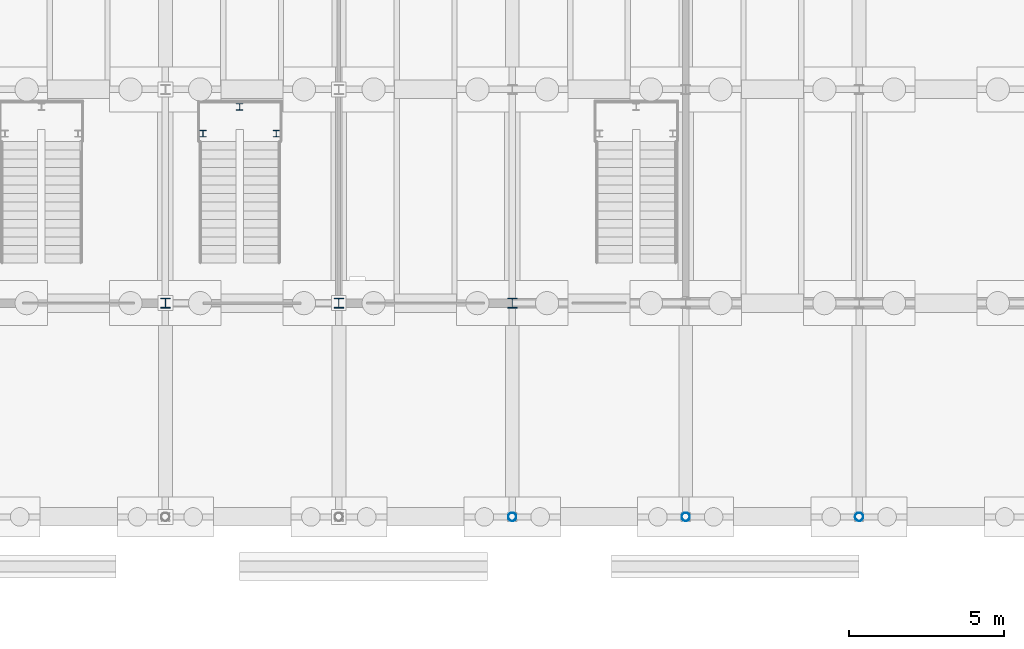
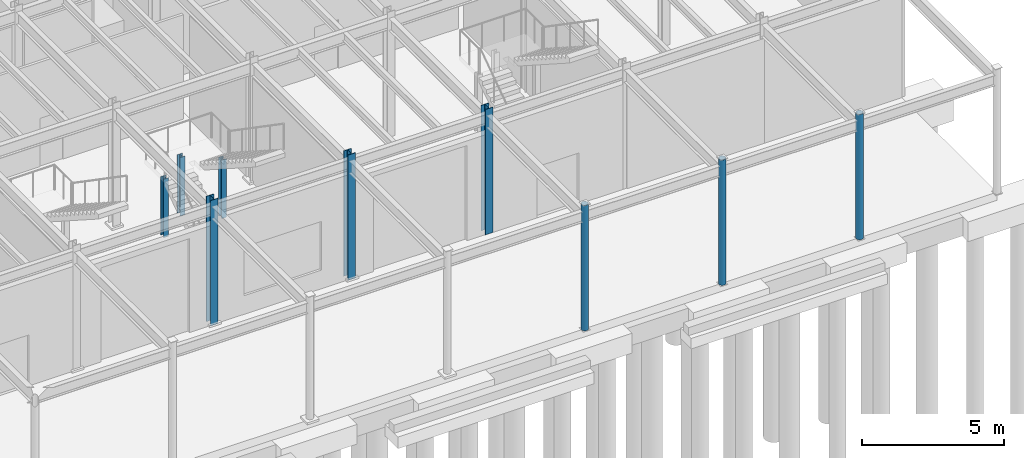
# One storey, part 11 of 82: 9 columns.
"""IFC4 building model written with IfcOpenShell, lengths in metres."""

from ifc_helpers import new_model, si_unit, direction, frame, origin, origin_2d, place, context, subcontext, project, spatial, hollow_circle, i_section, extrude, material, material_profile, profile_set, type_object, element, save


model = new_model("IFC4")

# Units and contexts
model_context = context("Model", 3, precision=1e-05, world=origin(), true_north=direction((0.0, 1.0)))
body_context = subcontext(model_context, "Body", "Model", "MODEL_VIEW")
ifc_project = project(units=[si_unit("LENGTHUNIT", "METRE"), si_unit("AREAUNIT", "SQUARE_METRE"), si_unit("VOLUMEUNIT", "CUBIC_METRE"), si_unit("PLANEANGLEUNIT", "RADIAN"), si_unit("MASSUNIT", "GRAM", prefix="KILO")], contexts=[model_context])

# Site, building, storey
site_placement = place(None, origin())
site = spatial("IfcSite", under=ifc_project, at=site_placement, CompositionType="ELEMENT")
building_placement = place(site_placement, origin())
building = spatial("IfcBuilding", under=site, at=building_placement, Name="Trelmorton Wharf Fire Station", CompositionType="ELEMENT")
storey_placement = place(building_placement, origin())
storey = spatial("IfcBuildingStorey", under=building, at=storey_placement, Name="L00", CompositionType="ELEMENT", Elevation=0.0)

# Columns
ifc_material_1 = material(Name="Steel Grade 350", Category="steel")
ifc_material_profile_1 = material_profile(ifc_material_1, i_section(OverallWidth=0.205078125, OverallDepth=0.2099609375, WebThickness=0.00927734375, FlangeThickness=0.01416015625, FilletRadius=0.011474609375, at=origin_2d()), Name="200UC59.5")
ifc_profile_set_1 = profile_set([ifc_material_profile_1], Name="Steel Grade 350")
column_type_1 = type_object("IfcColumnType", Name="COL_200UC60", PredefinedType="COLUMN", material=ifc_profile_set_1)
for number, where, z_axis, x_axis, name in (
    (1, (18.820068359375, 65.77001953125, 0.0), (0.0, 0.0, 1.0), (1.0, 0.0, 0.0), "COL-STS-02-1"),
    (2, (21.179931640625, 65.77001953125, 0.0), (0.0, 0.0, 1.0), (1.0, 0.0, 0.0), "COL-STS-02-2"),
    (3, (20.0, 66.639892578125, 0.0), (0.0, 0.0, 1.0), (1.0, 0.0, 0.0), "COL-STS-02-3"),
):
    element("IfcColumn", number, at=place(storey_placement, frame(where, z_axis=z_axis, x_axis=x_axis)), inside=storey, type_object=column_type_1, Name=name, PredefinedType="COLUMN", context=body_context, shape_type="SweptSolid", body=[
        extrude(i_section(OverallWidth=0.205078125, OverallDepth=0.2099609375, WebThickness=0.00927734375, FlangeThickness=0.01416015625, FilletRadius=0.011474609375, at=origin_2d()), origin(), (0.0, 0.0, 1.0), 2.52001953125),
    ])
ifc_material_profile_2 = material_profile(ifc_material_1, i_section(OverallWidth=0.306884765625, OverallDepth=0.31494140625, WebThickness=0.011962890625, FlangeThickness=0.018798828125, FilletRadius=0.0166015625, at=origin_2d()), Name="310UC118")
ifc_profile_set_2 = profile_set([ifc_material_profile_2], Name="Steel Grade 350")
column_type_2 = type_object("IfcColumnType", Name="COL_310UC118", PredefinedType="COLUMN", material=ifc_profile_set_2)
for number, where, z_axis, x_axis, name in (
    (4, (17.60009765625, 60.300048828125, 0.0), (0.0, 0.0, 1.0), (1.0, 0.0, 0.0), "COL-L00-0037"),
    (5, (23.199951171875, 60.300048828125, 0.0), (0.0, 0.0, 1.0), (1.0, 0.0, 0.0), "COL-L00-0046"),
    (6, (28.800048828125, 60.300048828125, 0.0), (0.0, 0.0, 1.0), (1.0, 0.0, 0.0), "COL-L00-0055"),
):
    element("IfcColumn", number, at=place(storey_placement, frame(where, z_axis=z_axis, x_axis=x_axis)), inside=storey, type_object=column_type_2, Name=name, PredefinedType="COLUMN", context=body_context, shape_type="SweptSolid", body=[
        extrude(i_section(OverallWidth=0.306884765625, OverallDepth=0.31494140625, WebThickness=0.011962890625, FlangeThickness=0.018798828125, FilletRadius=0.0166015625, at=origin_2d()), origin(), (0.0, 0.0, 1.0), 5.39990234375),
    ])
ifc_material_2 = material(Name="Steel C350L0 (350 MPa)", Category="steel")
ifc_material_profile_3 = material_profile(ifc_material_2, hollow_circle(Radius=0.136474609375, WallThickness=0.00927734375, at=origin_2d()), Name="273.1x9.3CHS")
ifc_profile_set_3 = profile_set([ifc_material_profile_3], Name="Steel C350L0 (350 MPa)")
column_type_3 = type_object("IfcColumnType", Name="COL_CHS273", PredefinedType="COLUMN", material=ifc_profile_set_3)
for number, where, z_axis, x_axis, name in (
    (7, (28.800048828125, 53.39990234375, 0.0), (0.0, 0.0, 1.0), (1.0, 0.0, 0.0), "COL-L00-0054"),
    (8, (34.39990234375, 53.39990234375, 0.0), (0.0, 0.0, 1.0), (1.0, 0.0, 0.0), "COL-L00-0063"),
    (9, (40.0, 53.39990234375, 0.0), (0.0, 0.0, 1.0), (1.0, 0.0, 0.0), "COL-L00-0072"),
):
    element("IfcColumn", number, at=place(storey_placement, frame(where, z_axis=z_axis, x_axis=x_axis)), inside=storey, type_object=column_type_3, Name=name, PredefinedType="COLUMN", context=body_context, shape_type="SweptSolid", body=[
        extrude(hollow_circle(Radius=0.136474609375, WallThickness=0.00927734375, at=origin_2d()), origin(), (0.0, 0.0, 1.0), 5.39990234375),
    ])

save(model, "model.ifc")
